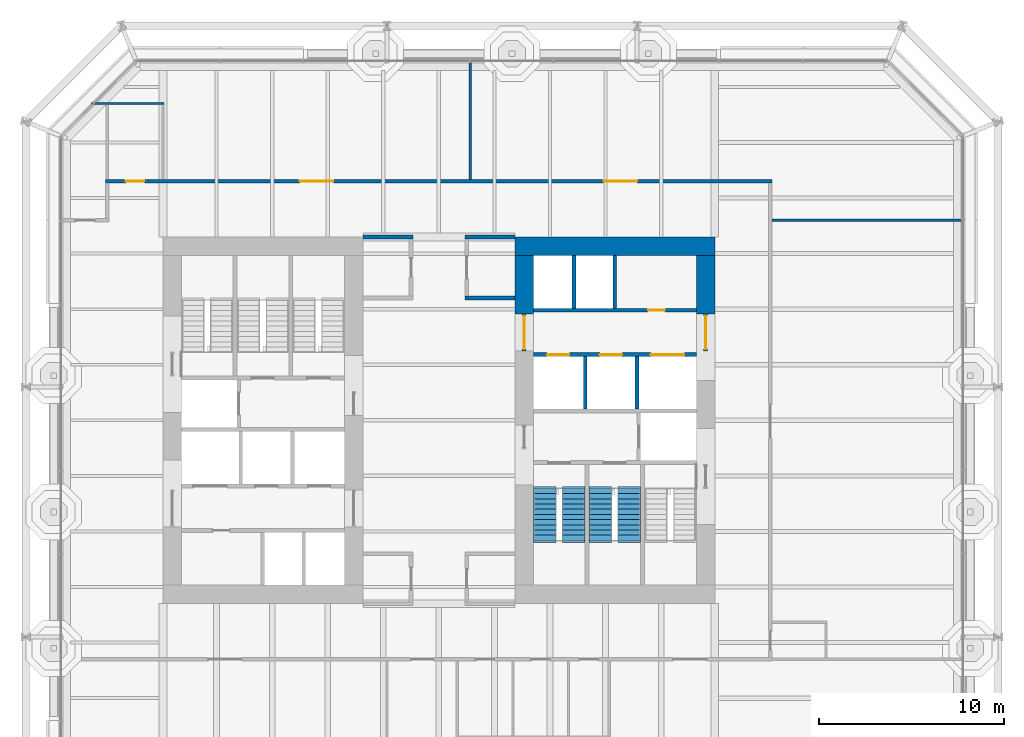
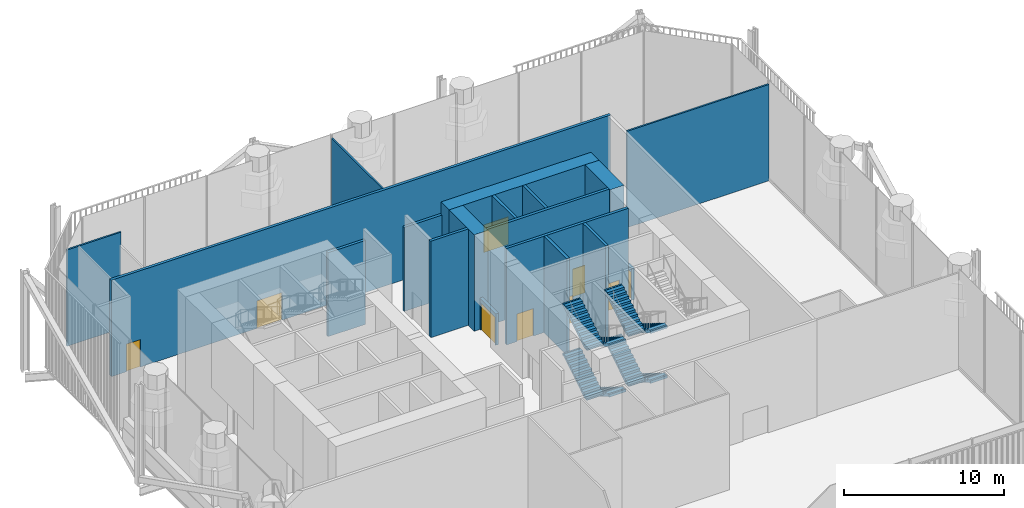
# One storey, part 14 of 18: 18 walls, 9 doors, 8 stair flights, 9 openings, 2 elements without a shape of their own.
"""IFC4 building model written with IfcOpenShell, lengths in metres."""

from ifc_helpers import new_model, si_unit, direction, frame, frame_2d, origin, place, context, subcontext, project, spatial, polyline, rectangle, outline, extrude, material, layer, layer_set, type_object, element, fill, aggregate, save


model = new_model("IFC4")

# Units and contexts
model_context = context("Model", 3, precision=1e-05, world=origin(), true_north=direction((0.0, 1.0)))
body_context = subcontext(model_context, "Body", "Model", "MODEL_VIEW")
ifc_project = project(units=[si_unit("LENGTHUNIT", "METRE"), si_unit("AREAUNIT", "SQUARE_METRE"), si_unit("VOLUMEUNIT", "CUBIC_METRE"), si_unit("PLANEANGLEUNIT", "RADIAN"), si_unit("MASSUNIT", "GRAM", prefix="KILO")], contexts=[model_context])

# Site, building, storey
site_placement = place(None, origin())
site = spatial("IfcSite", under=ifc_project, at=site_placement, CompositionType="ELEMENT")
building_placement = place(site_placement, origin())
building = spatial("IfcBuilding", under=site, at=building_placement, Name="Millrace Tower", CompositionType="ELEMENT")
storey_placement = place(building_placement, frame((0.0, 0.0, 112.800048828125)))
storey = spatial("IfcBuildingStorey", under=building, at=storey_placement, Name="L25", CompositionType="ELEMENT", Elevation=112.800048828125)

# Walls
ifc_material_1 = material(Name="Concrete C80", Category="concrete")
ifc_layer_1 = layer(ifc_material_1, 1.0)
ifc_layer_set_1 = layer_set([ifc_layer_1], Name="Concrete C80")
wall_type_1 = type_object("IfcWallType", Name="Core wall 1000 Concrete C80", PredefinedType="SHEAR", material=ifc_layer_set_1)
wall_1_placement = place(storey_placement, frame((14.89990234375, 9.39990234375, 0.0), z_axis=(0.0, 0.0, 1.0), x_axis=(-1.0, 0.0, 0.0)))
element("IfcWall", 1, at=wall_1_placement, inside=storey, type_object=wall_type_1, Name="Core wall E L25", PredefinedType="SHEAR", context=body_context, shape_type="SweptSolid", body=[
    extrude(rectangle(XDim=10.7998046875, YDim=1.0, at=frame_2d((5.39990234375, 0.0))), origin(), (0.0, 0.0, 1.0), 7.349853515625),
])
for number, where, z_axis, x_axis, name in (
    (2, (14.39990234375, 8.89990234375, 0.0), (0.0, 0.0, 1.0), (0.0, -1.0, 0.0), "Core wall E L25"),
    (3, (4.60009765625, 8.89990234375, 0.0), (0.0, 0.0, 1.0), (0.0, -1.0, 0.0), "Core wall E L25"),
):
    element("IfcWall", number, at=place(storey_placement, frame(where, z_axis=z_axis, x_axis=x_axis)), inside=storey, type_object=wall_type_1, Name=name, PredefinedType="SHEAR", context=body_context, shape_type="SweptSolid", body=[
        extrude(rectangle(XDim=3.14990234375, YDim=1.0, at=frame_2d((1.574951171875, 0.0))), origin(), (0.0, 0.0, 1.0), 7.349853515625),
    ])
ifc_material_2 = material(Name="Masonry partition, fire-rated", Category="masonry")
ifc_layer_2 = layer(ifc_material_2, 0.199951171875)
ifc_layer_set_2 = layer_set([ifc_layer_2], Name="Masonry partition, fire-rated")
wall_type_2 = type_object("IfcWallType", Name="Corridor wall 200", PredefinedType="PARTITIONING", material=ifc_layer_set_2)
wall_2_placement = place(storey_placement, frame((1.39990234375, 6.60009765625, 0.0), z_axis=(0.0, 0.0, 1.0), x_axis=(1.0, 0.0, 0.0)))
element("IfcWall", 4, at=wall_2_placement, inside=storey, type_object=wall_type_2, Name="Corridor wall L25", PredefinedType="PARTITIONING", context=body_context, shape_type="SweptSolid", body=[
    extrude(rectangle(XDim=2.7001953125, YDim=0.199951171875, at=frame_2d((1.35009765625, 0.0))), origin(), (0.0, 0.0, 1.0), 7.349853515625),
])
for number, where, z_axis, x_axis, name in (
    (5, (-4.10009765625, 9.89990234375, 0.0), (0.0, 0.0, 1.0), (1.0, 0.0, 0.0), "Corridor wall L25"),
    (6, (1.39990234375, 9.89990234375, 0.0), (0.0, 0.0, 1.0), (1.0, 0.0, 0.0), "Corridor wall L25"),
):
    element("IfcWall", number, at=place(storey_placement, frame(where, z_axis=z_axis, x_axis=x_axis)), inside=storey, type_object=wall_type_2, Name=name, PredefinedType="PARTITIONING", context=body_context, shape_type="SweptSolid", body=[
        extrude(rectangle(XDim=2.7001953125, YDim=0.199951171875, at=frame_2d((1.35009765625, 0.0))), origin(), (0.0, 0.0, 1.0), 6.402587890625),
    ])

# Wall, openings, doors
wall_3_placement = place(storey_placement, frame((-18.0, 12.89990234375, 0.0), z_axis=(0.0, 0.0, 1.0), x_axis=(1.0, 0.0, 0.0)))
wall_3 = element("IfcWall", 7, at=wall_3_placement, inside=storey, type_object=wall_type_2, Name="Corridor wall L25", PredefinedType="PARTITIONING", context=body_context, shape_type="SweptSolid", body=[
    extrude(rectangle(XDim=36.0, YDim=0.199951171875, at=frame_2d((18.0, 0.0))), origin(), (0.0, 0.0, 1.0), 7.349853515625),
])
opening_1_placement = place(wall_3_placement, frame((1.10009765625, 0.0, 0.0)))
opening_1 = element("IfcOpeningElement", 8, at=opening_1_placement, cuts=wall_3, Name="Opening 25-P008", PredefinedType="OPENING", context=body_context, shape_type="SweptSolid", body=[
    extrude(rectangle(XDim=1.0, YDim=2.10009765625, at=frame_2d((0.5, 1.050048828125))), frame((0.0, 0.10986328125, 0.0), z_axis=(0.0, -1.0, 0.0), x_axis=(1.0, 0.0, 0.0)), (0.0, 0.0, 1.0), 0.219970703125),
])
opening_2_placement = place(wall_3_placement, frame((10.5, 0.0, 0.0)))
opening_2 = element("IfcOpeningElement", 9, at=opening_2_placement, cuts=wall_3, Name="Opening 25-P009", PredefinedType="OPENING", context=body_context, shape_type="SweptSolid", body=[
    extrude(rectangle(XDim=1.800048828125, YDim=2.10009765625, at=frame_2d((0.89990234375, 1.050048828125))), frame((0.0, 0.10986328125, 0.0), z_axis=(0.0, -1.0, 0.0), x_axis=(1.0, 0.0, 0.0)), (0.0, 0.0, 1.0), 0.219970703125),
])
opening_3_placement = place(wall_3_placement, frame((26.89990234375, 0.0, 0.0)))
opening_3 = element("IfcOpeningElement", 10, at=opening_3_placement, cuts=wall_3, Name="Opening 25-P011", PredefinedType="OPENING", context=body_context, shape_type="SweptSolid", body=[
    extrude(rectangle(XDim=1.800048828125, YDim=2.10009765625, at=frame_2d((0.89990234375, 1.050048828125))), frame((0.0, 0.10986328125, 0.0), z_axis=(0.0, -1.0, 0.0), x_axis=(1.0, 0.0, 0.0)), (0.0, 0.0, 1.0), 0.219970703125),
])
ifc_material_3 = material(Name="Steel door set, fire-rated", Category="steel")
door_type_1 = type_object("IfcDoorType", Name="Corridor door 1000 x 2100", OperationType="SINGLE_SWING_LEFT", PredefinedType="DOOR", material=ifc_material_3)
door_1_placement = place(opening_1_placement, origin())
door_1 = element("IfcDoor", 11, at=door_1_placement, inside=storey, type_object=door_type_1, Name="Door 25-P008", OperationType="SINGLE_SWING_LEFT", OverallHeight=2.10009765625, OverallWidth=1.0, PredefinedType="DOOR", context=body_context, shape_type="SweptSolid", body=[
    extrude(rectangle(XDim=1.0, YDim=2.10009765625, at=frame_2d((0.5, 1.050048828125))), frame((0.0, 0.02490234375, 0.0), z_axis=(0.0, -1.0, 0.0), x_axis=(1.0, 0.0, 0.0)), (0.0, 0.0, 1.0), 0.050048828125),
])
fill(opening_1, door_1)
ifc_material_4 = material(Name="Steel door set, fire-rated", Category="steel")
door_type_2 = type_object("IfcDoorType", Name="Corridor door 1800 x 2100", OperationType="DOUBLE_DOOR_SINGLE_SWING", PredefinedType="DOOR", material=ifc_material_4)
door_2_placement = place(opening_2_placement, origin())
door_2 = element("IfcDoor", 12, at=door_2_placement, inside=storey, type_object=door_type_2, Name="Door 25-P009", OperationType="DOUBLE_DOOR_SINGLE_SWING", OverallHeight=2.10009765625, OverallWidth=1.800048828125, PredefinedType="DOOR", context=body_context, shape_type="SweptSolid", body=[
    extrude(rectangle(XDim=1.800048828125, YDim=2.10009765625, at=frame_2d((0.89990234375, 1.050048828125))), frame((0.0, 0.02490234375, 0.0), z_axis=(0.0, -1.0, 0.0), x_axis=(1.0, 0.0, 0.0)), (0.0, 0.0, 1.0), 0.050048828125),
])
fill(opening_2, door_2)
door_3_placement = place(opening_3_placement, frame((1.800048828125, 0.0, 0.0), z_axis=(0.0, 0.0, 1.0), x_axis=(-1.0, 0.0, 0.0)))
door_3 = element("IfcDoor", 13, at=door_3_placement, inside=storey, type_object=door_type_2, Name="Door 25-P011", OperationType="DOUBLE_DOOR_SINGLE_SWING", OverallHeight=2.10009765625, OverallWidth=1.800048828125, PredefinedType="DOOR", context=body_context, shape_type="SweptSolid", body=[
    extrude(rectangle(XDim=1.800048828125, YDim=2.10009765625, at=frame_2d((0.89990234375, 1.050048828125))), frame((0.0, 0.02490234375, 0.0), z_axis=(0.0, -1.0, 0.0), x_axis=(1.0, 0.0, 0.0)), (0.0, 0.0, 1.0), 0.050048828125),
])
fill(opening_3, door_3)

# Wall, opening, door
ifc_material_5 = material(Name="Masonry partition, fire-rated", Category="masonry")
ifc_layer_3 = layer(ifc_material_5, 0.199951171875)
ifc_layer_set_3 = layer_set([ifc_layer_3], Name="Masonry partition, fire-rated")
wall_type_3 = type_object("IfcWallType", Name="Lift shaft wall 200", PredefinedType="PARTITIONING", material=ifc_layer_set_3)
wall_4_placement = place(storey_placement, frame((13.89990234375, 5.949951171875, 0.0), z_axis=(0.0, 0.0, 1.0), x_axis=(-1.0, 0.0, 0.0)))
wall_4 = element("IfcWall", 14, at=wall_4_placement, inside=storey, type_object=wall_type_3, Name="Lift shaft wall E L25", PredefinedType="PARTITIONING", context=body_context, shape_type="SweptSolid", body=[
    extrude(rectangle(XDim=8.7998046875, YDim=0.199951171875, at=frame_2d((4.39990234375, 0.0))), origin(), (0.0, 0.0, 1.0), 7.349853515625),
])
opening_4_placement = place(wall_4_placement, frame((1.699951171875, 0.0, 0.0)))
opening_4 = element("IfcOpeningElement", 15, at=opening_4_placement, cuts=wall_4, Name="Opening 25-C012", PredefinedType="OPENING", context=body_context, shape_type="SweptSolid", body=[
    extrude(rectangle(XDim=0.89990234375, YDim=2.10009765625, at=frame_2d((0.449951171875, 1.050048828125))), frame((0.0, 0.10986328125, 0.0), z_axis=(0.0, -1.0, 0.0), x_axis=(1.0, 0.0, 0.0)), (0.0, 0.0, 1.0), 0.219970703125),
])
ifc_material_6 = material(Name="Steel door, fire-rated", Category="steel")
door_type_3 = type_object("IfcDoorType", Name="Service room door 900 x 2100", OperationType="SINGLE_SWING_LEFT", PredefinedType="DOOR", material=ifc_material_6)
door_4_placement = place(opening_4_placement, frame((0.89990234375, 0.0, 0.0), z_axis=(0.0, 0.0, 1.0), x_axis=(-1.0, 0.0, 0.0)))
door_4 = element("IfcDoor", 16, at=door_4_placement, inside=storey, type_object=door_type_3, Name="Service room door 25-C012", OperationType="SINGLE_SWING_RIGHT", OverallHeight=2.10009765625, OverallWidth=0.89990234375, PredefinedType="DOOR", context=body_context, shape_type="SweptSolid", body=[
    extrude(rectangle(XDim=0.89990234375, YDim=2.10009765625, at=frame_2d((0.449951171875, 1.050048828125))), frame((0.0, 0.02490234375, 0.0), z_axis=(0.0, -1.0, 0.0), x_axis=(1.0, 0.0, 0.0)), (0.0, 0.0, 1.0), 0.050048828125),
])
fill(opening_4, door_4)

# Wall, openings, doors
wall_5_placement = place(storey_placement, frame((13.89990234375, 3.550048828125, 0.0), z_axis=(0.0, 0.0, 1.0), x_axis=(-1.0, 0.0, 0.0)))
wall_5 = element("IfcWall", 17, at=wall_5_placement, inside=storey, type_object=wall_type_3, Name="Lift shaft wall E L25", PredefinedType="PARTITIONING", context=body_context, shape_type="SweptSolid", body=[
    extrude(rectangle(XDim=8.7998046875, YDim=0.199951171875, at=frame_2d((4.39990234375, 0.0))), origin(), (0.0, 0.0, 1.0), 7.349853515625),
])
opening_5_placement = place(wall_5_placement, frame((0.64990234375, 0.0, 0.0)))
opening_5 = element("IfcOpeningElement", 18, at=opening_5_placement, cuts=wall_5, Name="Opening 25-LD13", PredefinedType="OPENING", context=body_context, shape_type="SweptSolid", body=[
    extrude(rectangle(XDim=1.800048828125, YDim=2.10009765625, at=frame_2d((0.89990234375, 1.050048828125))), frame((0.0, 0.10986328125, 0.0), z_axis=(0.0, -1.0, 0.0), x_axis=(1.0, 0.0, 0.0)), (0.0, 0.0, 1.0), 0.219970703125),
])
opening_6_placement = place(wall_5_placement, frame((4.0, 0.0, 0.0)))
opening_6 = element("IfcOpeningElement", 19, at=opening_6_placement, cuts=wall_5, Name="Opening 25-LD14", PredefinedType="OPENING", context=body_context, shape_type="SweptSolid", body=[
    extrude(rectangle(XDim=1.199951171875, YDim=2.10009765625, at=frame_2d((0.60009765625, 1.050048828125))), frame((0.0, 0.10986328125, 0.0), z_axis=(0.0, -1.0, 0.0), x_axis=(1.0, 0.0, 0.0)), (0.0, 0.0, 1.0), 0.219970703125),
])
opening_7_placement = place(wall_5_placement, frame((6.85009765625, 0.0, 0.0)))
opening_7 = element("IfcOpeningElement", 20, at=opening_7_placement, cuts=wall_5, Name="Opening 25-LD15", PredefinedType="OPENING", context=body_context, shape_type="SweptSolid", body=[
    extrude(rectangle(XDim=1.199951171875, YDim=2.10009765625, at=frame_2d((0.60009765625, 1.050048828125))), frame((0.0, 0.10986328125, 0.0), z_axis=(0.0, -1.0, 0.0), x_axis=(1.0, 0.0, 0.0)), (0.0, 0.0, 1.0), 0.219970703125),
])
ifc_material_7 = material(Name="Stainless steel, fire-rated", Category="steel")
door_type_4 = type_object("IfcDoorType", Name="Lift landing door 1200 x 2100", OperationType="DOUBLE_DOOR_SLIDING", PredefinedType="DOOR", material=ifc_material_7)
door_5_placement = place(opening_6_placement, origin())
door_5 = element("IfcDoor", 21, at=door_5_placement, inside=storey, type_object=door_type_4, Name="Lift landing door LF14 L25", OperationType="DOUBLE_DOOR_SLIDING", OverallHeight=2.10009765625, OverallWidth=1.199951171875, PredefinedType="DOOR", context=body_context, shape_type="SweptSolid", body=[
    extrude(rectangle(XDim=1.199951171875, YDim=2.10009765625, at=frame_2d((0.60009765625, 1.050048828125))), frame((0.0, 0.02490234375, 0.0), z_axis=(0.0, -1.0, 0.0), x_axis=(1.0, 0.0, 0.0)), (0.0, 0.0, 1.0), 0.050048828125),
])
fill(opening_6, door_5)
door_6_placement = place(opening_7_placement, origin())
door_6 = element("IfcDoor", 22, at=door_6_placement, inside=storey, type_object=door_type_4, Name="Lift landing door LF15 L25", OperationType="DOUBLE_DOOR_SLIDING", OverallHeight=2.10009765625, OverallWidth=1.199951171875, PredefinedType="DOOR", context=body_context, shape_type="SweptSolid", body=[
    extrude(rectangle(XDim=1.199951171875, YDim=2.10009765625, at=frame_2d((0.60009765625, 1.050048828125))), frame((0.0, 0.02490234375, 0.0), z_axis=(0.0, -1.0, 0.0), x_axis=(1.0, 0.0, 0.0)), (0.0, 0.0, 1.0), 0.050048828125),
])
fill(opening_7, door_6)
ifc_material_8 = material(Name="Stainless steel, fire-rated", Category="steel")
door_type_5 = type_object("IfcDoorType", Name="Lift landing door 1800 x 2100", OperationType="DOUBLE_DOOR_SLIDING", PredefinedType="DOOR", material=ifc_material_8)
door_7_placement = place(opening_5_placement, origin())
door_7 = element("IfcDoor", 23, at=door_7_placement, inside=storey, type_object=door_type_5, Name="Lift landing door LF13 L25", OperationType="DOUBLE_DOOR_SLIDING", OverallHeight=2.10009765625, OverallWidth=1.800048828125, PredefinedType="DOOR", context=body_context, shape_type="SweptSolid", body=[
    extrude(rectangle(XDim=1.800048828125, YDim=2.10009765625, at=frame_2d((0.89990234375, 1.050048828125))), frame((0.0, 0.02490234375, 0.0), z_axis=(0.0, -1.0, 0.0), x_axis=(1.0, 0.0, 0.0)), (0.0, 0.0, 1.0), 0.050048828125),
])
fill(opening_5, door_7)

# Walls
for number, where, z_axis, x_axis, name in (
    (24, (9.5, 8.89990234375, 0.0), (0.0, 0.0, 1.0), (0.0, -1.0, 0.0), "Lift shaft wall E L25"),
    (25, (7.300048828125, 8.89990234375, 0.0), (0.0, 0.0, 1.0), (0.0, -1.0, 0.0), "Lift shaft wall E L25"),
    (26, (10.699951171875, 3.449951171875, 0.0), (0.0, 0.0, 1.0), (0.0, -1.0, 0.0), "Lift shaft wall E L25"),
    (27, (7.89990234375, 3.449951171875, 0.0), (0.0, 0.0, 1.0), (0.0, -1.0, 0.0), "Lift shaft wall E L25"),
):
    element("IfcWall", number, at=place(storey_placement, frame(where, z_axis=z_axis, x_axis=x_axis)), inside=storey, type_object=wall_type_3, Name=name, PredefinedType="PARTITIONING", context=body_context, shape_type="SweptSolid", body=[
        extrude(rectangle(XDim=2.849853515625, YDim=0.199951171875, at=frame_2d((1.4248046875, 0.0))), origin(), (0.0, 0.0, 1.0), 7.349853515625),
    ])

# Wall, opening, door
ifc_material_9 = material(Name="Masonry partition, fire-rated", Category="masonry")
ifc_layer_4 = layer(ifc_material_9, 0.199951171875)
ifc_layer_set_4 = layer_set([ifc_layer_4], Name="Masonry partition, fire-rated")
wall_type_4 = type_object("IfcWallType", Name="Lobby wall 200", PredefinedType="PARTITIONING", material=ifc_layer_set_4)
wall_6_placement = place(storey_placement, frame((14.39990234375, 5.75, 0.0), z_axis=(0.0, 0.0, 1.0), x_axis=(0.0, -1.0, 0.0)))
wall_6 = element("IfcWall", 28, at=wall_6_placement, inside=storey, type_object=wall_type_4, Name="Lobby wall E L25", PredefinedType="PARTITIONING", context=body_context, shape_type="SweptSolid", body=[
    extrude(rectangle(XDim=2.0, YDim=0.199951171875, at=frame_2d((1.0, 0.0))), origin(), (0.0, 0.0, 1.0), 2.39990234375),
])
opening_8_placement = place(wall_6_placement, frame((0.10009765625, 0.0, 0.0)))
opening_8 = element("IfcOpeningElement", 29, at=opening_8_placement, cuts=wall_6, Name="Opening 25-C008", PredefinedType="OPENING", context=body_context, shape_type="SweptSolid", body=[
    extrude(rectangle(XDim=1.800048828125, YDim=2.10009765625, at=frame_2d((0.89990234375, 1.050048828125))), frame((0.0, 0.10986328125, 0.0), z_axis=(0.0, -1.0, 0.0), x_axis=(1.0, 0.0, 0.0)), (0.0, 0.0, 1.0), 0.219970703125),
])
ifc_material_10 = material(Name="Steel door, fire-rated", Category="steel")
door_type_6 = type_object("IfcDoorType", Name="Lobby door 1800 x 2100", OperationType="DOUBLE_DOOR_SINGLE_SWING", PredefinedType="DOOR", material=ifc_material_10)
door_8_placement = place(opening_8_placement, origin())
door_8 = element("IfcDoor", 30, at=door_8_placement, inside=storey, type_object=door_type_6, Name="Lobby door 25-C008", OperationType="DOUBLE_DOOR_SINGLE_SWING", OverallHeight=2.10009765625, OverallWidth=1.800048828125, PredefinedType="DOOR", context=body_context, shape_type="SweptSolid", body=[
    extrude(rectangle(XDim=1.800048828125, YDim=2.10009765625, at=frame_2d((0.89990234375, 1.050048828125))), frame((0.0, 0.02490234375, 0.0), z_axis=(0.0, -1.0, 0.0), x_axis=(1.0, 0.0, 0.0)), (0.0, 0.0, 1.0), 0.050048828125),
])
fill(opening_8, door_8)

wall_7_placement = place(storey_placement, frame((4.60009765625, 5.75, 0.0), z_axis=(0.0, 0.0, 1.0), x_axis=(0.0, -1.0, 0.0)))
wall_7 = element("IfcWall", 31, at=wall_7_placement, inside=storey, type_object=wall_type_4, Name="Lobby wall E L25", PredefinedType="PARTITIONING", context=body_context, shape_type="SweptSolid", body=[
    extrude(rectangle(XDim=2.0, YDim=0.199951171875, at=frame_2d((1.0, 0.0))), origin(), (0.0, 0.0, 1.0), 2.39990234375),
])
opening_9_placement = place(wall_7_placement, frame((0.10009765625, 0.0, 0.0)))
opening_9 = element("IfcOpeningElement", 32, at=opening_9_placement, cuts=wall_7, Name="Opening 25-C010", PredefinedType="OPENING", context=body_context, shape_type="SweptSolid", body=[
    extrude(rectangle(XDim=1.800048828125, YDim=2.10009765625, at=frame_2d((0.89990234375, 1.050048828125))), frame((0.0, 0.10986328125, 0.0), z_axis=(0.0, -1.0, 0.0), x_axis=(1.0, 0.0, 0.0)), (0.0, 0.0, 1.0), 0.219970703125),
])
door_9_placement = place(opening_9_placement, origin())
door_9 = element("IfcDoor", 33, at=door_9_placement, inside=storey, type_object=door_type_6, Name="Lobby door 25-C010", OperationType="DOUBLE_DOOR_SINGLE_SWING", OverallHeight=2.10009765625, OverallWidth=1.800048828125, PredefinedType="DOOR", context=body_context, shape_type="SweptSolid", body=[
    extrude(rectangle(XDim=1.800048828125, YDim=2.10009765625, at=frame_2d((0.89990234375, 1.050048828125))), frame((0.0, 0.02490234375, 0.0), z_axis=(0.0, -1.0, 0.0), x_axis=(1.0, 0.0, 0.0)), (0.0, 0.0, 1.0), 0.050048828125),
])
fill(opening_9, door_9)

# Walls
ifc_material_11 = material(Name="Gypsum board partition")
ifc_layer_5 = layer(ifc_material_11, 0.1201171875)
ifc_layer_set_5 = layer_set([ifc_layer_5], Name="Gypsum board partition")
wall_type_5 = type_object("IfcWallType", Name="Partition wall 120", PredefinedType="PARTITIONING", material=ifc_layer_set_5)
wall_8_placement = place(storey_placement, frame((18.0, 10.800048828125, 0.0), z_axis=(0.0, 0.0, 1.0), x_axis=(1.0, 0.0, 0.0)))
element("IfcWall", 34, at=wall_8_placement, inside=storey, type_object=wall_type_5, Name="Partition wall L25", PredefinedType="PARTITIONING", context=body_context, shape_type="SweptSolid", body=[
    extrude(rectangle(XDim=10.22998046875, YDim=0.1201171875, at=frame_2d((5.114990234375, 0.0))), origin(), (0.0, 0.0, 1.0), 7.349853515625),
])
wall_9_placement = place(storey_placement, frame((-18.742431640625, 17.10009765625, 0.0), z_axis=(0.0, 0.0, 1.0), x_axis=(1.0, 0.0, 0.0)))
element("IfcWall", 35, at=wall_9_placement, inside=storey, type_object=wall_type_5, Name="Partition wall L25", PredefinedType="PARTITIONING", context=body_context, shape_type="SweptSolid", body=[
    extrude(rectangle(XDim=3.9013671875, YDim=0.1201171875, at=frame_2d((1.95068359375, 0.0))), origin(), (0.0, 0.0, 1.0), 7.349853515625),
])
wall_10_placement = place(storey_placement, frame((1.699951171875, 13.0, 0.0), z_axis=(0.0, 0.0, 1.0), x_axis=(0.0, 1.0, 0.0)))
element("IfcWall", 36, at=wall_10_placement, inside=storey, type_object=wall_type_5, Name="Partition wall L25", PredefinedType="PARTITIONING", context=body_context, shape_type="SweptSolid", body=[
    extrude(rectangle(XDim=6.330078125, YDim=0.1201171875, at=frame_2d((3.1650390625, 0.0))), origin(), (0.0, 0.0, 1.0), 7.349853515625),
])

# Stair, stair flights
ifc_material_12 = material(Name="Concrete C35", Category="concrete")
stair_type = type_object("IfcStairType", Name="Exit stair", PredefinedType="HALF_TURN_STAIR", material=ifc_material_12)
placement = place(storey_placement, origin())
stair_1 = element("IfcStair", 37, at=placement, inside=storey, type_object=stair_type, Name="Stair 2 E L25", PredefinedType="HALF_TURN_STAIR")
ifc_material_13 = material(Name="Concrete C35", Category="concrete")
stair_flight_type = type_object("IfcStairFlightType", Name="Exit stair flight", PredefinedType="STRAIGHT", material=ifc_material_13)
stair_flight_1_placement = place(storey_placement, frame((10.2900390625, -3.679931640625, 0.0), z_axis=(0.0, 0.0, 1.0), x_axis=(0.0, -1.0, 0.0)))
stair_flight_1 = element("IfcStairFlight", 38, at=stair_flight_1_placement, type_object=stair_flight_type, Name="ST12 flight 1", NumberOfRisers=11, NumberOfTreads=10, PredefinedType="STRAIGHT", RiserHeight=0.172727273, TreadLength=0.28, context=body_context, shape_type="SweptSolid", body=[
    extrude(outline(polyline([(-0.1201171875, -0.0400390625), (-0.1201171875, 0.0), (0.0, 0.0), (0.0, 0.172607421875), (0.280029296875, 0.172607421875), (0.280029296875, 0.345458984375), (0.56005859375, 0.345458984375), (0.56005859375, 0.51806640625), (0.840087890625, 0.51806640625), (0.840087890625, 0.69091796875), (1.1201171875, 0.69091796875), (1.1201171875, 0.863525390625), (1.39990234375, 0.863525390625), (1.39990234375, 1.036376953125), (1.679931640625, 1.036376953125), (1.679931640625, 1.208984375), (1.9599609375, 1.208984375), (1.9599609375, 1.3818359375), (2.239990234375, 1.3818359375), (2.239990234375, 1.554443359375), (2.52001953125, 1.554443359375), (2.52001953125, 1.727294921875), (2.800048828125, 1.727294921875), (2.800048828125, 1.747314453125), (2.919921875, 1.747314453125), (2.919921875, 1.551025390625), (2.800048828125, 1.551025390625), (0.285400390625, 0.0), (0.285400390625, -0.0400390625), (-0.1201171875, -0.0400390625)])), frame((0.0, 0.60986328125, 0.0), z_axis=(0.0, -1.0, 0.0), x_axis=(1.0, 0.0, 0.0)), (0.0, 0.0, 1.0), 1.219970703125),
])
stair_flight_2_placement = place(storey_placement, frame((8.7099609375, -6.47998046875, 1.89990234375), z_axis=(0.0, 0.0, 1.0), x_axis=(0.0, 1.0, 0.0)))
stair_flight_2 = element("IfcStairFlight", 39, at=stair_flight_2_placement, type_object=stair_flight_type, Name="ST12 flight 2", NumberOfRisers=11, NumberOfTreads=10, PredefinedType="STRAIGHT", RiserHeight=0.172727273, TreadLength=0.28, context=body_context, shape_type="SweptSolid", body=[
    extrude(outline(polyline([(-0.1201171875, -0.0400390625), (-0.1201171875, 0.0), (0.0, 0.0), (0.0, 0.172607421875), (0.280029296875, 0.172607421875), (0.280029296875, 0.345458984375), (0.56005859375, 0.345458984375), (0.56005859375, 0.51806640625), (0.840087890625, 0.51806640625), (0.840087890625, 0.69091796875), (1.1201171875, 0.69091796875), (1.1201171875, 0.863525390625), (1.39990234375, 0.863525390625), (1.39990234375, 1.036376953125), (1.679931640625, 1.036376953125), (1.679931640625, 1.208984375), (1.9599609375, 1.208984375), (1.9599609375, 1.3818359375), (2.239990234375, 1.3818359375), (2.239990234375, 1.554443359375), (2.52001953125, 1.554443359375), (2.52001953125, 1.727294921875), (2.800048828125, 1.727294921875), (2.800048828125, 1.747314453125), (2.919921875, 1.747314453125), (2.919921875, 1.551025390625), (2.800048828125, 1.551025390625), (0.285400390625, 0.0), (0.285400390625, -0.0400390625), (-0.1201171875, -0.0400390625)])), frame((0.0, 0.60986328125, 0.0), z_axis=(0.0, -1.0, 0.0), x_axis=(1.0, 0.0, 0.0)), (0.0, 0.0, 1.0), 1.219970703125),
])
stair_flight_3_placement = place(storey_placement, frame((10.2900390625, -3.679931640625, 3.800048828125), z_axis=(0.0, 0.0, 1.0), x_axis=(0.0, -1.0, 0.0)))
stair_flight_3 = element("IfcStairFlight", 40, at=stair_flight_3_placement, type_object=stair_flight_type, Name="ST12 flight 3", NumberOfRisers=11, NumberOfTreads=10, PredefinedType="STRAIGHT", RiserHeight=0.172727273, TreadLength=0.28, context=body_context, shape_type="SweptSolid", body=[
    extrude(outline(polyline([(-0.1201171875, -0.0400390625), (-0.1201171875, 0.0), (0.0, 0.0), (0.0, 0.172607421875), (0.280029296875, 0.172607421875), (0.280029296875, 0.345458984375), (0.56005859375, 0.345458984375), (0.56005859375, 0.51806640625), (0.840087890625, 0.51806640625), (0.840087890625, 0.69091796875), (1.1201171875, 0.69091796875), (1.1201171875, 0.863525390625), (1.39990234375, 0.863525390625), (1.39990234375, 1.036376953125), (1.679931640625, 1.036376953125), (1.679931640625, 1.208984375), (1.9599609375, 1.208984375), (1.9599609375, 1.3818359375), (2.239990234375, 1.3818359375), (2.239990234375, 1.554443359375), (2.52001953125, 1.554443359375), (2.52001953125, 1.727294921875), (2.800048828125, 1.727294921875), (2.800048828125, 1.747314453125), (2.919921875, 1.747314453125), (2.919921875, 1.551025390625), (2.800048828125, 1.551025390625), (0.285400390625, 0.0), (0.285400390625, -0.0400390625), (-0.1201171875, -0.0400390625)])), frame((0.0, 0.60986328125, 0.0), z_axis=(0.0, -1.0, 0.0), x_axis=(1.0, 0.0, 0.0)), (0.0, 0.0, 1.0), 1.219970703125),
])
stair_flight_4_placement = place(storey_placement, frame((8.7099609375, -6.47998046875, 5.699951171875), z_axis=(0.0, 0.0, 1.0), x_axis=(0.0, 1.0, 0.0)))
stair_flight_4 = element("IfcStairFlight", 41, at=stair_flight_4_placement, type_object=stair_flight_type, Name="ST12 flight 4", NumberOfRisers=11, NumberOfTreads=10, PredefinedType="STRAIGHT", RiserHeight=0.172727273, TreadLength=0.28, context=body_context, shape_type="SweptSolid", body=[
    extrude(outline(polyline([(-0.1201171875, -0.0400390625), (-0.1201171875, 0.0), (0.0, 0.0), (0.0, 0.172607421875), (0.280029296875, 0.172607421875), (0.280029296875, 0.345458984375), (0.56005859375, 0.345458984375), (0.56005859375, 0.51806640625), (0.840087890625, 0.51806640625), (0.840087890625, 0.69091796875), (1.1201171875, 0.69091796875), (1.1201171875, 0.863525390625), (1.39990234375, 0.863525390625), (1.39990234375, 1.036376953125), (1.679931640625, 1.036376953125), (1.679931640625, 1.208984375), (1.9599609375, 1.208984375), (1.9599609375, 1.3818359375), (2.239990234375, 1.3818359375), (2.239990234375, 1.554443359375), (2.52001953125, 1.554443359375), (2.52001953125, 1.727294921875), (2.800048828125, 1.727294921875), (2.800048828125, 1.747314453125), (2.919921875, 1.747314453125), (2.919921875, 1.551025390625), (2.800048828125, 1.551025390625), (0.285400390625, 0.0), (0.285400390625, -0.0400390625), (-0.1201171875, -0.0400390625)])), frame((0.0, 0.60986328125, 0.0), z_axis=(0.0, -1.0, 0.0), x_axis=(1.0, 0.0, 0.0)), (0.0, 0.0, 1.0), 1.219970703125),
])
aggregate(stair_1, [stair_flight_1, stair_flight_2, stair_flight_3, stair_flight_4])

stair_2 = element("IfcStair", 42, at=placement, inside=storey, type_object=stair_type, Name="Stair 3 E L25", PredefinedType="HALF_TURN_STAIR")
stair_flight_5_placement = place(storey_placement, frame((7.2900390625, -3.679931640625, 0.0), z_axis=(0.0, 0.0, 1.0), x_axis=(0.0, -1.0, 0.0)))
stair_flight_5 = element("IfcStairFlight", 43, at=stair_flight_5_placement, type_object=stair_flight_type, Name="ST12 flight 1", NumberOfRisers=11, NumberOfTreads=10, PredefinedType="STRAIGHT", RiserHeight=0.172727273, TreadLength=0.28, context=body_context, shape_type="SweptSolid", body=[
    extrude(outline(polyline([(-0.1201171875, -0.0400390625), (-0.1201171875, 0.0), (0.0, 0.0), (0.0, 0.172607421875), (0.280029296875, 0.172607421875), (0.280029296875, 0.345458984375), (0.56005859375, 0.345458984375), (0.56005859375, 0.51806640625), (0.840087890625, 0.51806640625), (0.840087890625, 0.69091796875), (1.1201171875, 0.69091796875), (1.1201171875, 0.863525390625), (1.39990234375, 0.863525390625), (1.39990234375, 1.036376953125), (1.679931640625, 1.036376953125), (1.679931640625, 1.208984375), (1.9599609375, 1.208984375), (1.9599609375, 1.3818359375), (2.239990234375, 1.3818359375), (2.239990234375, 1.554443359375), (2.52001953125, 1.554443359375), (2.52001953125, 1.727294921875), (2.800048828125, 1.727294921875), (2.800048828125, 1.747314453125), (2.919921875, 1.747314453125), (2.919921875, 1.551025390625), (2.800048828125, 1.551025390625), (0.285400390625, 0.0), (0.285400390625, -0.0400390625), (-0.1201171875, -0.0400390625)])), frame((0.0, 0.60986328125, 0.0), z_axis=(0.0, -1.0, 0.0), x_axis=(1.0, 0.0, 0.0)), (0.0, 0.0, 1.0), 1.219970703125),
])
stair_flight_6_placement = place(storey_placement, frame((5.7099609375, -6.47998046875, 1.89990234375), z_axis=(0.0, 0.0, 1.0), x_axis=(0.0, 1.0, 0.0)))
stair_flight_6 = element("IfcStairFlight", 44, at=stair_flight_6_placement, type_object=stair_flight_type, Name="ST12 flight 2", NumberOfRisers=11, NumberOfTreads=10, PredefinedType="STRAIGHT", RiserHeight=0.172727273, TreadLength=0.28, context=body_context, shape_type="SweptSolid", body=[
    extrude(outline(polyline([(-0.1201171875, -0.0400390625), (-0.1201171875, 0.0), (0.0, 0.0), (0.0, 0.172607421875), (0.280029296875, 0.172607421875), (0.280029296875, 0.345458984375), (0.56005859375, 0.345458984375), (0.56005859375, 0.51806640625), (0.840087890625, 0.51806640625), (0.840087890625, 0.69091796875), (1.1201171875, 0.69091796875), (1.1201171875, 0.863525390625), (1.39990234375, 0.863525390625), (1.39990234375, 1.036376953125), (1.679931640625, 1.036376953125), (1.679931640625, 1.208984375), (1.9599609375, 1.208984375), (1.9599609375, 1.3818359375), (2.239990234375, 1.3818359375), (2.239990234375, 1.554443359375), (2.52001953125, 1.554443359375), (2.52001953125, 1.727294921875), (2.800048828125, 1.727294921875), (2.800048828125, 1.747314453125), (2.919921875, 1.747314453125), (2.919921875, 1.551025390625), (2.800048828125, 1.551025390625), (0.285400390625, 0.0), (0.285400390625, -0.0400390625), (-0.1201171875, -0.0400390625)])), frame((0.0, 0.60986328125, 0.0), z_axis=(0.0, -1.0, 0.0), x_axis=(1.0, 0.0, 0.0)), (0.0, 0.0, 1.0), 1.219970703125),
])
stair_flight_7_placement = place(storey_placement, frame((7.2900390625, -3.679931640625, 3.800048828125), z_axis=(0.0, 0.0, 1.0), x_axis=(0.0, -1.0, 0.0)))
stair_flight_7 = element("IfcStairFlight", 45, at=stair_flight_7_placement, type_object=stair_flight_type, Name="ST12 flight 3", NumberOfRisers=11, NumberOfTreads=10, PredefinedType="STRAIGHT", RiserHeight=0.172727273, TreadLength=0.28, context=body_context, shape_type="SweptSolid", body=[
    extrude(outline(polyline([(-0.1201171875, -0.0400390625), (-0.1201171875, 0.0), (0.0, 0.0), (0.0, 0.172607421875), (0.280029296875, 0.172607421875), (0.280029296875, 0.345458984375), (0.56005859375, 0.345458984375), (0.56005859375, 0.51806640625), (0.840087890625, 0.51806640625), (0.840087890625, 0.69091796875), (1.1201171875, 0.69091796875), (1.1201171875, 0.863525390625), (1.39990234375, 0.863525390625), (1.39990234375, 1.036376953125), (1.679931640625, 1.036376953125), (1.679931640625, 1.208984375), (1.9599609375, 1.208984375), (1.9599609375, 1.3818359375), (2.239990234375, 1.3818359375), (2.239990234375, 1.554443359375), (2.52001953125, 1.554443359375), (2.52001953125, 1.727294921875), (2.800048828125, 1.727294921875), (2.800048828125, 1.747314453125), (2.919921875, 1.747314453125), (2.919921875, 1.551025390625), (2.800048828125, 1.551025390625), (0.285400390625, 0.0), (0.285400390625, -0.0400390625), (-0.1201171875, -0.0400390625)])), frame((0.0, 0.60986328125, 0.0), z_axis=(0.0, -1.0, 0.0), x_axis=(1.0, 0.0, 0.0)), (0.0, 0.0, 1.0), 1.219970703125),
])
stair_flight_8_placement = place(storey_placement, frame((5.7099609375, -6.47998046875, 5.699951171875), z_axis=(0.0, 0.0, 1.0), x_axis=(0.0, 1.0, 0.0)))
stair_flight_8 = element("IfcStairFlight", 46, at=stair_flight_8_placement, type_object=stair_flight_type, Name="ST12 flight 4", NumberOfRisers=11, NumberOfTreads=10, PredefinedType="STRAIGHT", RiserHeight=0.172727273, TreadLength=0.28, context=body_context, shape_type="SweptSolid", body=[
    extrude(outline(polyline([(-0.1201171875, -0.0400390625), (-0.1201171875, 0.0), (0.0, 0.0), (0.0, 0.172607421875), (0.280029296875, 0.172607421875), (0.280029296875, 0.345458984375), (0.56005859375, 0.345458984375), (0.56005859375, 0.51806640625), (0.840087890625, 0.51806640625), (0.840087890625, 0.69091796875), (1.1201171875, 0.69091796875), (1.1201171875, 0.863525390625), (1.39990234375, 0.863525390625), (1.39990234375, 1.036376953125), (1.679931640625, 1.036376953125), (1.679931640625, 1.208984375), (1.9599609375, 1.208984375), (1.9599609375, 1.3818359375), (2.239990234375, 1.3818359375), (2.239990234375, 1.554443359375), (2.52001953125, 1.554443359375), (2.52001953125, 1.727294921875), (2.800048828125, 1.727294921875), (2.800048828125, 1.747314453125), (2.919921875, 1.747314453125), (2.919921875, 1.551025390625), (2.800048828125, 1.551025390625), (0.285400390625, 0.0), (0.285400390625, -0.0400390625), (-0.1201171875, -0.0400390625)])), frame((0.0, 0.60986328125, 0.0), z_axis=(0.0, -1.0, 0.0), x_axis=(1.0, 0.0, 0.0)), (0.0, 0.0, 1.0), 1.219970703125),
])
aggregate(stair_2, [stair_flight_5, stair_flight_6, stair_flight_7, stair_flight_8])

save(model, "model.ifc")
